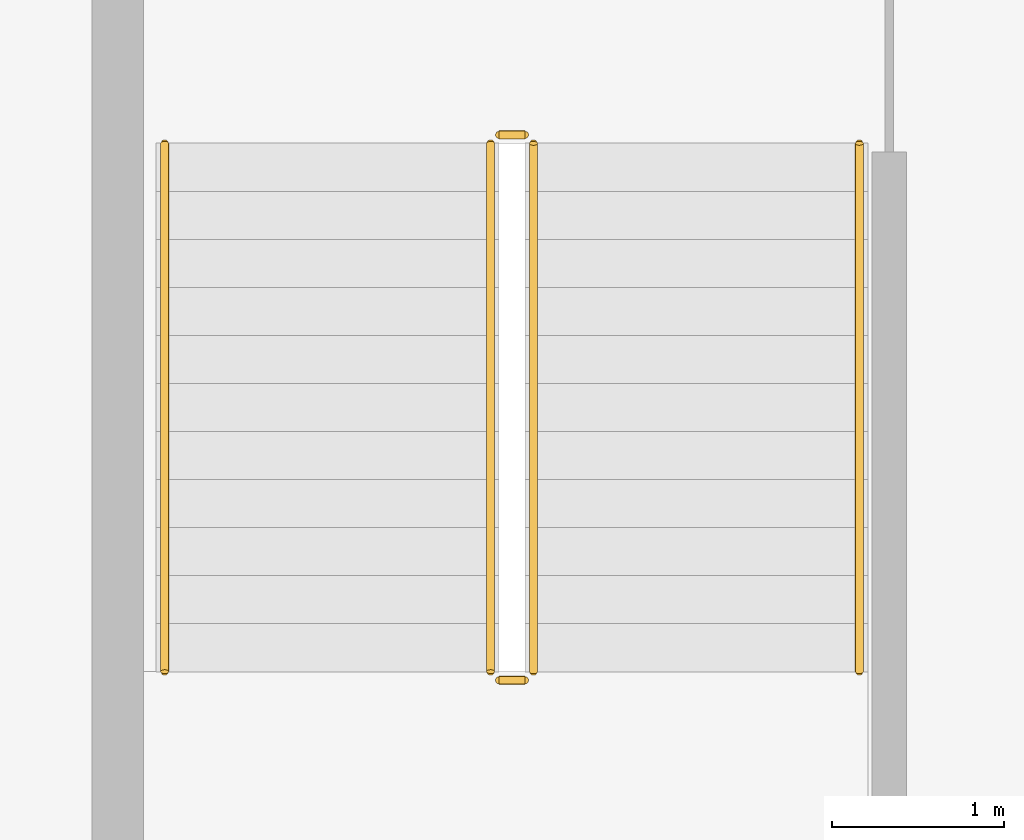
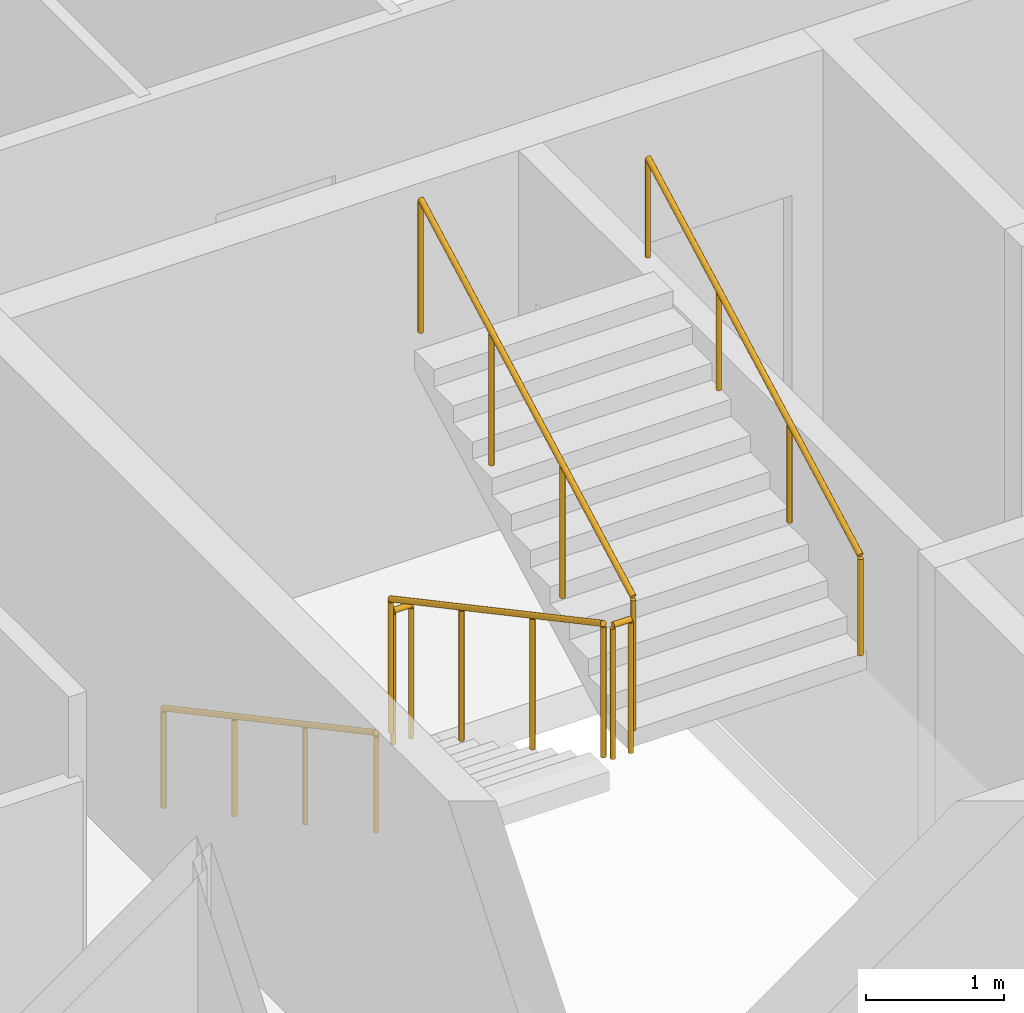
# One storey, part 12 of 14: 6 railings.
"""IFC4 building model written with IfcOpenShell, lengths in metres."""

import ifcopenshell
import ifcopenshell.guid

model = None  # the IFC model being written
_history = None  # IfcOwnerHistory: only IFC2X3 demands one
_inside = {}  # id of a spatial element -> (the spatial element, [elements in it])
_under = {}  # id of a project, library or spatial element -> (it, [spatial elements below it])
_declared = {}  # id of a project -> (the project, [libraries it declares])
_typed = {}  # id of a type object -> (the type object, [elements of that type])
_made_of = {}  # id of a material, layer set ... -> (it, [elements and type objects made of it])


def new_model(schema):
    """Start an empty IFC model of exactly this schema.

    Asked for "IFC4X3", IfcOpenShell would pick the latest addendum, in which some entities
    have other attributes; the version numbers below select the first issue.
    IFC2X3 requires an IfcOwnerHistory on every rooted entity: one is made here for all.
    """
    global model, _history
    if schema == "IFC4X3":
        model = ifcopenshell.file(schema_version=(4, 3, 0, 0))
    else:
        model = ifcopenshell.file(schema=schema)
    _inside.clear()
    _under.clear()
    _declared.clear()
    _typed.clear()
    _made_of.clear()
    _history = None
    if model.schema == "IFC2X3":
        org = make("IfcOrganization", Name="unknown")
        user = make(
            "IfcPersonAndOrganization",
            ThePerson=make("IfcPerson", FamilyName="unknown"),
            TheOrganization=org,
        )
        app = make(
            "IfcApplication",
            ApplicationDeveloper=org,
            Version="unknown",
            ApplicationFullName="unknown",
            ApplicationIdentifier="unknown",
        )
        _history = make(
            "IfcOwnerHistory",
            OwningUser=user,
            OwningApplication=app,
            ChangeAction="ADDED",
            CreationDate=0,
        )
    return model


def make(cls, **values):
    """One entity of the class cls with the attributes given. An attribute that is None is left unset."""
    return model.create_entity(
        cls, **{name: value for name, value in values.items() if value is not None}
    )


def rooted(cls, **values):
    """An entity with a GlobalId (a new one), such as an element, a storey or a relation."""
    return make(cls, GlobalId=ifcopenshell.guid.new(), OwnerHistory=_history, **values)


def si_unit(unit_type, name, prefix=None):
    """IfcSIUnit, for example si_unit("LENGTHUNIT", "METRE", prefix="MILLI")."""
    return make("IfcSIUnit", UnitType=unit_type, Prefix=prefix, Name=name)


def assignment(units):
    """IfcUnitAssignment: the units of a project."""
    return None if units is None else make("IfcUnitAssignment", Units=units)


def point(xyz):
    """IfcCartesianPoint."""
    return None if xyz is None else make("IfcCartesianPoint", Coordinates=xyz)


def direction(xyz):
    """IfcDirection."""
    return None if xyz is None else make("IfcDirection", DirectionRatios=xyz)


def frame(location, z_axis=None, x_axis=None):
    """IfcAxis2Placement3D, a coordinate frame: its origin and axes. An axis left out is left unset."""
    return make(
        "IfcAxis2Placement3D",
        Location=point(location),
        Axis=direction(z_axis),
        RefDirection=direction(x_axis),
    )


def frame_2d(location, x_axis=None):
    """IfcAxis2Placement2D, a coordinate frame in the plane: its origin and x axis."""
    return make(
        "IfcAxis2Placement2D", Location=point(location), RefDirection=direction(x_axis)
    )


def origin():
    """The frame at (0, 0, 0) with its axes left unset."""
    return frame((0.0, 0.0, 0.0))


def origin_2d():
    """The frame at (0, 0) in the plane with its x axis left unset."""
    return frame_2d((0.0, 0.0))


def place(relative_to, where):
    """IfcLocalPlacement: puts the frame where relative to a parent placement (None: the world)."""
    return make(
        "IfcLocalPlacement", PlacementRelTo=relative_to, RelativePlacement=where
    )


def context(
    kind, dimensions, precision=None, world=None, true_north=None, identifier=None
):
    """IfcGeometricRepresentationContext, for example the 3D "Model" context."""
    return make(
        "IfcGeometricRepresentationContext",
        ContextIdentifier=identifier,
        ContextType=kind,
        CoordinateSpaceDimension=dimensions,
        Precision=precision,
        WorldCoordinateSystem=world,
        TrueNorth=true_north,
    )


def subcontext(parent, identifier, kind, view, scale=None):
    """IfcGeometricRepresentationSubContext, for example "Body" below "Model"."""
    return make(
        "IfcGeometricRepresentationSubContext",
        ContextIdentifier=identifier,
        ContextType=kind,
        ParentContext=parent,
        TargetScale=scale,
        TargetView=view,
    )


def project(units=None, contexts=None):
    """IfcProject with its units and contexts."""
    return rooted(
        "IfcProject",
        Name="project",
        RepresentationContexts=contexts,
        UnitsInContext=assignment(units),
    )


def spatial(cls, under=None, at=None, **own):
    """A site, building, storey or space (cls), placed at a placement, below another one or the project."""
    s = rooted(cls, ObjectPlacement=at, **own)
    if under is not None:
        _under.setdefault(under.id(), (under, []))[1].append(s)
    return s


def profile(cls, at=None, kind="AREA", **sizes):
    """A parametric profile (cls). Its sizes go by their IFC names, for example OverallWidth=200.0."""
    return make(cls, ProfileType=kind, Position=at, **sizes)


def circle(**sizes):
    """IfcCircleProfileDef."""
    return profile("IfcCircleProfileDef", **sizes)


def extrude(swept, where, along, depth):
    """IfcExtrudedAreaSolid: the profile swept, set in the frame where, extruded along a direction by depth."""
    return make(
        "IfcExtrudedAreaSolid",
        SweptArea=swept,
        Position=where,
        ExtrudedDirection=direction(along),
        Depth=depth,
    )


def shape(context_of_items, identifier, shape_type, items):
    """IfcShapeRepresentation: the items that make up one representation, for example the "Body"."""
    return make(
        "IfcShapeRepresentation",
        ContextOfItems=context_of_items,
        RepresentationIdentifier=identifier,
        RepresentationType=shape_type,
        Items=items,
    )


def material(Name=None, Category=None):
    """IfcMaterial."""
    return make("IfcMaterial", Name=Name, Category=Category)


def made_of(thing, what):
    """Note that an element or type object is made of a material, layer set ...; save() writes the relation."""
    if what is not None:
        _made_of.setdefault(what.id(), (what, []))[1].append(thing)
    return thing


def type_object(cls, material=None, **own):
    """A type object (cls), such as IfcWallType, which elements share."""
    return made_of(rooted(cls, **own), material)


def element(
    cls,
    number,
    at=None,
    inside=None,
    cuts=None,
    type_object=None,
    material=None,
    context=None,
    identifier="Body",
    shape_type=None,
    held_by="IfcProductDefinitionShape",
    body=None,
    shapes=None,
    **own,
):
    """One element of the class cls, such as IfcWall. Its Tag is "e" and its number.

    at: its placement. inside: the storey or other place that contains it. cuts: it is an
    opening in that element (IfcRelVoidsElement). A single representation is given by context,
    identifier, shape_type and body (its items); several are given by shapes. held_by: the class
    of the entity that holds the representations. save() writes the other relations.
    """
    e = rooted(cls, Tag="e%d" % number, ObjectPlacement=at, **own)
    if body is not None:
        shapes = [shape(context, identifier, shape_type, body)]
    if shapes is not None:
        e.Representation = make(held_by, Representations=shapes)
    if inside is not None:
        _inside.setdefault(inside.id(), (inside, []))[1].append(e)
    if cuts is not None:
        rooted(
            "IfcRelVoidsElement", RelatingBuildingElement=cuts, RelatedOpeningElement=e
        )
    if type_object is not None:
        _typed.setdefault(type_object.id(), (type_object, []))[1].append(e)
    return made_of(e, material)


def aggregate(whole, parts):
    """IfcRelAggregates: a whole, such as a stair, and the parts it consists of."""
    return rooted("IfcRelAggregates", RelatingObject=whole, RelatedObjects=parts)


def save(model, path):
    """Write the relations noted so far, then the file.

    IfcRelAggregates (storeys below a building ...), IfcRelContainedInSpatialStructure (elements
    in a storey), IfcRelDefinesByType, IfcRelAssociatesMaterial and IfcRelDeclares: one each for
    every whole, place, type object, material and project.
    """
    for whole, parts in _under.values():
        aggregate(whole, parts)
    for where, things in _inside.values():
        rooted(
            "IfcRelContainedInSpatialStructure",
            RelatedElements=things,
            RelatingStructure=where,
        )
    for kind, things in _typed.values():
        rooted("IfcRelDefinesByType", RelatedObjects=things, RelatingType=kind)
    for what, things in _made_of.values():
        rooted("IfcRelAssociatesMaterial", RelatedObjects=things, RelatingMaterial=what)
    for by, libraries in _declared.values():
        rooted("IfcRelDeclares", RelatingContext=by, RelatedDefinitions=libraries)
    model.write(path)


model = new_model("IFC4")

# Units and contexts
model_context = context("Model", 3, precision=1e-05, world=origin(), true_north=direction((0.0, 1.0)))
body_context = subcontext(model_context, "Body", "Model", "MODEL_VIEW")
ifc_project = project(units=[si_unit("LENGTHUNIT", "METRE"), si_unit("AREAUNIT", "SQUARE_METRE"), si_unit("VOLUMEUNIT", "CUBIC_METRE"), si_unit("PLANEANGLEUNIT", "RADIAN"), si_unit("MASSUNIT", "GRAM", prefix="KILO")], contexts=[model_context])

# Site, building, storey
site_placement = place(None, origin())
site = spatial("IfcSite", under=ifc_project, at=site_placement, CompositionType="ELEMENT")
building_placement = place(site_placement, origin())
building = spatial("IfcBuilding", under=site, at=building_placement, Name="Caravel Reach Hotel and Residences", CompositionType="ELEMENT")
storey_placement = place(building_placement, frame((0.0, 0.0, 118.800048828125)))
storey = spatial("IfcBuildingStorey", under=building, at=storey_placement, Name="L29", CompositionType="ELEMENT", Elevation=118.800048828125)

# Railings
ifc_material_1 = material(Name="Steel balustrade with glass infill", Category="steel")
railing_type_1 = type_object("IfcRailingType", Name="Guard 1200", PredefinedType="GUARDRAIL", material=ifc_material_1)
railing_1_placement = place(storey_placement, frame((20.175048828125, 29.35009765625, 0.14990234375)))
element("IfcRailing", 1, at=railing_1_placement, inside=storey, type_object=railing_type_1, Name="L29 ST-A stair guard 1", PredefinedType="GUARDRAIL", context=body_context, shape_type="SweptSolid", body=[
    extrude(circle(Radius=0.02392578125, at=origin_2d()), frame((0.0, 0.0, 1.17578125), z_axis=(0.0, -0.881467505477, 0.472244678941), x_axis=(1.0, 0.0, 0.0)), (0.0, 0.0, 1.0), 3.494140625),
    extrude(circle(Radius=0.02099609375, at=origin_2d()), origin(), (0.0, 0.0, 1.0), 1.15185546875),
    extrude(circle(Radius=0.02099609375, at=origin_2d()), frame((0.0, -1.026611328125, 0.550048828125)), (0.0, 0.0, 1.0), 1.15185546875),
    extrude(circle(Radius=0.02099609375, at=origin_2d()), frame((0.0, -2.053466796875, 1.10009765625)), (0.0, 0.0, 1.0), 1.15185546875),
    extrude(circle(Radius=0.02099609375, at=origin_2d()), frame((0.0, -3.080078125, 1.650146484375)), (0.0, 0.0, 1.0), 1.15185546875),
])
railing_2_placement = place(storey_placement, frame((20.22509765625, 26.219970703125, 1.800048828125)))
element("IfcRailing", 2, at=railing_2_placement, inside=storey, type_object=railing_type_1, Name="L29 ST-A stair guard 2", PredefinedType="GUARDRAIL", context=body_context, shape_type="SweptSolid", body=[
    extrude(circle(Radius=0.02392578125, at=origin_2d()), frame((0.0, 0.0, 1.17578125), z_axis=(1.0, 0.0, 0.0), x_axis=(0.0, 1.0, 0.0)), (0.0, 0.0, 1.0), 0.14990234375),
    extrude(circle(Radius=0.02099609375, at=origin_2d()), origin(), (0.0, 0.0, 1.0), 1.15185546875),
    extrude(circle(Radius=0.02099609375, at=origin_2d()), frame((0.14990234375, 0.0, 0.0)), (0.0, 0.0, 1.0), 1.15185546875),
])
railing_3_placement = place(storey_placement, frame((20.425048828125, 26.27001953125, 1.949951171875)))
element("IfcRailing", 3, at=railing_3_placement, inside=storey, type_object=railing_type_1, Name="L29 ST-A stair guard 3", PredefinedType="GUARDRAIL", context=body_context, shape_type="SweptSolid", body=[
    extrude(circle(Radius=0.02392578125, at=origin_2d()), frame((0.0, 0.0, 1.17578125), z_axis=(0.0, 0.881496589024, 0.472190389079), x_axis=(-1.0, 0.0, 0.0)), (0.0, 0.0, 1.0), 3.494140625),
    extrude(circle(Radius=0.02099609375, at=origin_2d()), origin(), (0.0, 0.0, 1.0), 1.15185546875),
    extrude(circle(Radius=0.02099609375, at=origin_2d()), frame((0.0, 1.026611328125, 0.550048828125)), (0.0, 0.0, 1.0), 1.15185546875),
    extrude(circle(Radius=0.02099609375, at=origin_2d()), frame((0.0, 2.053466796875, 1.099853515625)), (0.0, 0.0, 1.0), 1.15185546875),
    extrude(circle(Radius=0.02099609375, at=origin_2d()), frame((0.0, 3.080078125, 1.64990234375)), (0.0, 0.0, 1.0), 1.15185546875),
])
railing_4_placement = place(storey_placement, frame((20.22509765625, 29.39990234375, 0.0)))
element("IfcRailing", 4, at=railing_4_placement, inside=storey, type_object=railing_type_1, Name="L29 ST-A stair guard 4", PredefinedType="GUARDRAIL", context=body_context, shape_type="SweptSolid", body=[
    extrude(circle(Radius=0.02392578125, at=origin_2d()), frame((0.0, 0.0, 1.17578125), z_axis=(1.0, 0.0, 0.0), x_axis=(0.0, 1.0, 0.0)), (0.0, 0.0, 1.0), 0.14990234375),
    extrude(circle(Radius=0.02099609375, at=origin_2d()), origin(), (0.0, 0.0, 1.0), 1.15185546875),
    extrude(circle(Radius=0.02099609375, at=origin_2d()), frame((0.14990234375, 0.0, 0.0)), (0.0, 0.0, 1.0), 1.15185546875),
])
ifc_material_2 = material(Name="Stainless steel handrail", Category="steel")
railing_type_2 = type_object("IfcRailingType", Name="Handrail 900", PredefinedType="HANDRAIL", material=ifc_material_2)
railing_5_placement = place(storey_placement, frame((18.27490234375, 29.35009765625, 0.14990234375)))
element("IfcRailing", 5, at=railing_5_placement, inside=storey, type_object=railing_type_2, Name="L29 ST-A stair handrail 1", PredefinedType="HANDRAIL", context=body_context, shape_type="SweptSolid", body=[
    extrude(circle(Radius=0.02392578125, at=origin_2d()), frame((0.0, 0.0, 0.8759765625), z_axis=(0.0, -0.881467505477, 0.472244678941), x_axis=(1.0, 0.0, 0.0)), (0.0, 0.0, 1.0), 3.494140625),
    extrude(circle(Radius=0.02099609375, at=origin_2d()), origin(), (0.0, 0.0, 1.0), 0.851806640625),
    extrude(circle(Radius=0.02099609375, at=origin_2d()), frame((0.0, -1.026611328125, 0.550048828125)), (0.0, 0.0, 1.0), 0.851806640625),
    extrude(circle(Radius=0.02099609375, at=origin_2d()), frame((0.0, -2.053466796875, 1.10009765625)), (0.0, 0.0, 1.0), 0.851806640625),
    extrude(circle(Radius=0.02099609375, at=origin_2d()), frame((0.0, -3.080078125, 1.650146484375)), (0.0, 0.0, 1.0), 0.851806640625),
])
railing_6_placement = place(storey_placement, frame((22.324951171875, 26.27001953125, 1.949951171875)))
element("IfcRailing", 6, at=railing_6_placement, inside=storey, type_object=railing_type_2, Name="L29 ST-A stair handrail 2", PredefinedType="HANDRAIL", context=body_context, shape_type="SweptSolid", body=[
    extrude(circle(Radius=0.02392578125, at=origin_2d()), frame((0.0, 0.0, 0.8759765625), z_axis=(0.0, 0.881496589024, 0.472190389079), x_axis=(-1.0, 0.0, 0.0)), (0.0, 0.0, 1.0), 3.494140625),
    extrude(circle(Radius=0.02099609375, at=origin_2d()), origin(), (0.0, 0.0, 1.0), 0.851806640625),
    extrude(circle(Radius=0.02099609375, at=origin_2d()), frame((0.0, 1.026611328125, 0.550048828125)), (0.0, 0.0, 1.0), 0.851806640625),
    extrude(circle(Radius=0.02099609375, at=origin_2d()), frame((0.0, 2.053466796875, 1.099853515625)), (0.0, 0.0, 1.0), 0.851806640625),
    extrude(circle(Radius=0.02099609375, at=origin_2d()), frame((0.0, 3.080078125, 1.64990234375)), (0.0, 0.0, 1.0), 0.851806640625),
])

save(model, "model.ifc")
